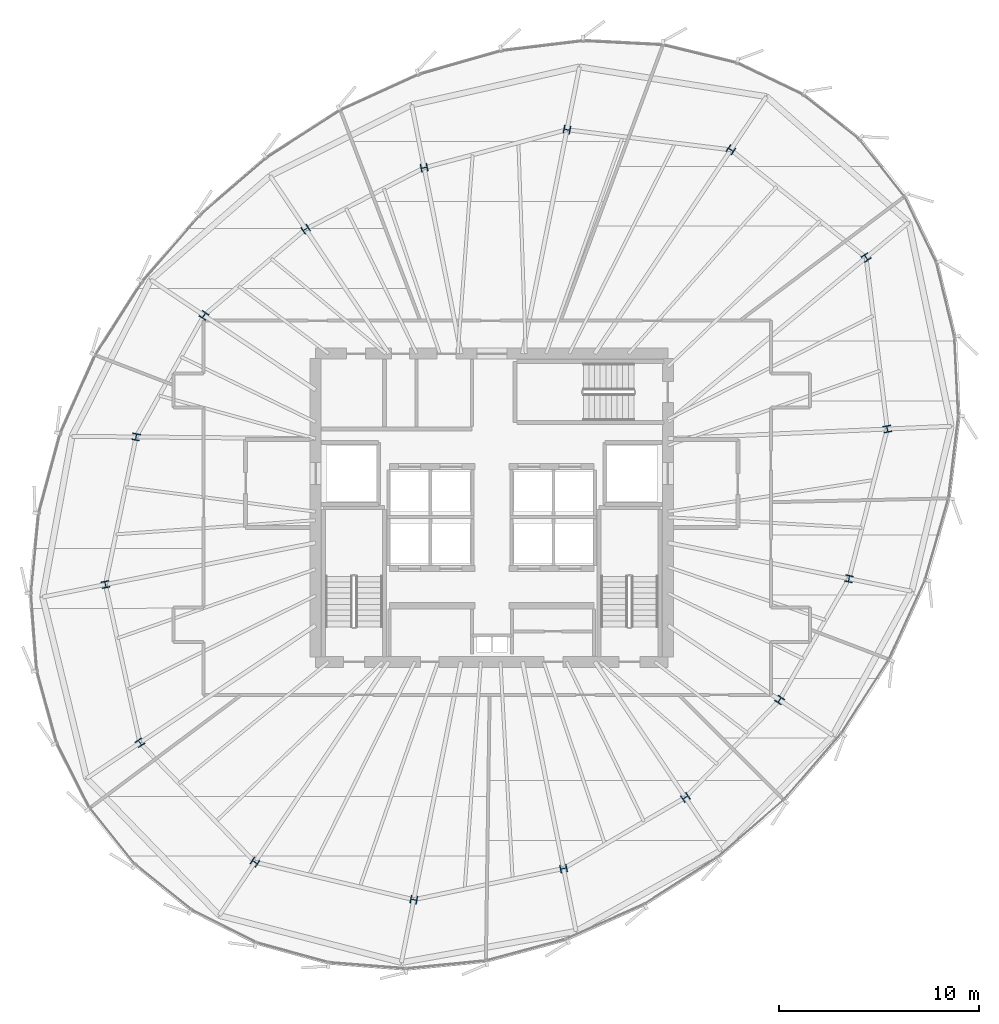
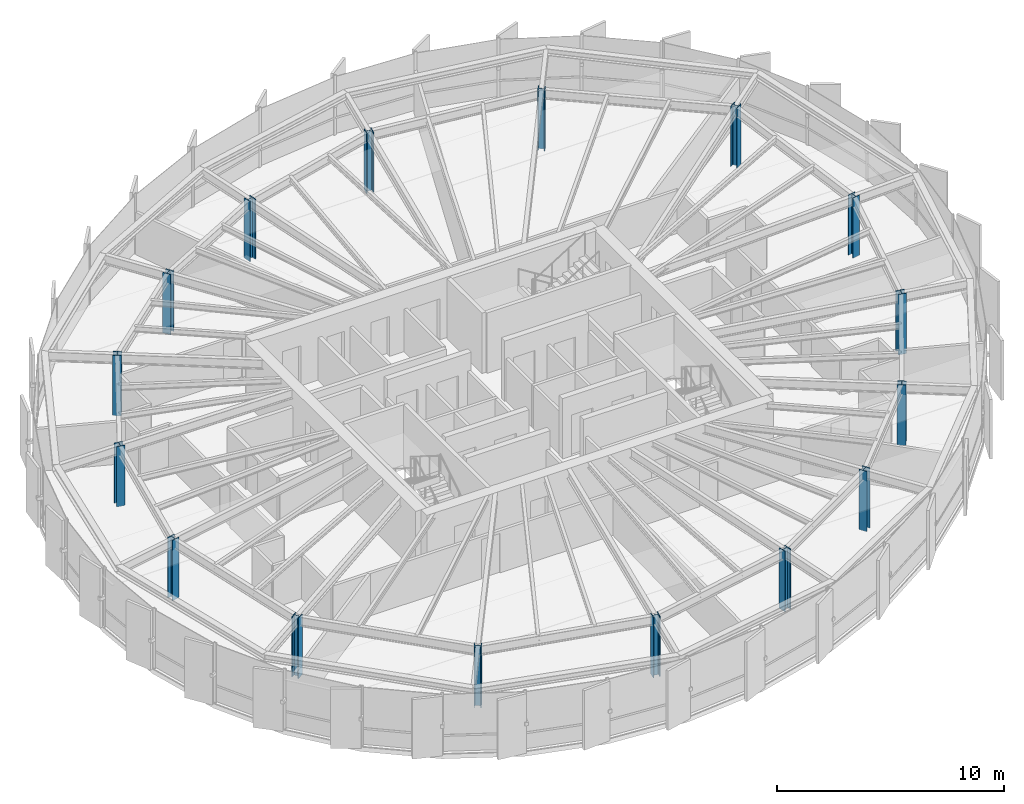
# One storey, part 1 of 34: 16 columns.
"""IFC4 building model written with IfcOpenShell, lengths in metres."""

from ifc_helpers import new_model, si_unit, direction, frame, origin, origin_2d, place, context, subcontext, project, spatial, i_section, extrude, source, transform, mapped, material, material_profile, profile_set, type_object, element, save


model = new_model("IFC4")

# Units and contexts
model_context = context("Model", 3, precision=1e-05, world=origin(), true_north=direction((0.0, 1.0)))
body_context = subcontext(model_context, "Body", "Model", "MODEL_VIEW")
ifc_project = project(units=[si_unit("LENGTHUNIT", "METRE"), si_unit("AREAUNIT", "SQUARE_METRE"), si_unit("VOLUMEUNIT", "CUBIC_METRE"), si_unit("PLANEANGLEUNIT", "RADIAN"), si_unit("MASSUNIT", "GRAM", prefix="KILO"), si_unit("THERMODYNAMICTEMPERATUREUNIT", "KELVIN")], contexts=[model_context])

# Site, building, storey
site_placement = place(None, origin())
site = spatial("IfcSite", under=ifc_project, at=site_placement, CompositionType="ELEMENT")
building_placement = place(site_placement, origin())
building = spatial("IfcBuilding", under=site, at=building_placement, Name="Kethvar Cultural Tower", CompositionType="ELEMENT")
storey_placement = place(building_placement, frame((0.0, 0.0, 214.89990234375)))
storey = spatial("IfcBuildingStorey", under=building, at=storey_placement, Name="L56", CompositionType="ELEMENT", Elevation=214.89990234375)

# Columns
ifc_material = material(Name="Steel S460M", Category="steel")
ifc_material_profile = material_profile(ifc_material, i_section(OverallWidth=0.39111328125, OverallDepth=0.3349609375, WebThickness=0.022705078125, FlangeThickness=0.033935546875, FilletRadius=0.014892578125, at=origin_2d()), Name="Steel S460M — HD400x463")
ifc_profile_set = profile_set([ifc_material_profile], Name="Steel S460M — HD400x463")
column_type = type_object("IfcColumnType", Name="COL-HD463", PredefinedType="COLUMN", material=ifc_profile_set)
shared_shape = source(origin(), body_context, "Body", "SweptSolid", [
    extrude(i_section(OverallWidth=0.39111328125, OverallDepth=0.3349609375, WebThickness=0.022705078125, FlangeThickness=0.033935546875, FilletRadius=0.014892578125, at=origin_2d()), origin(), (0.0, 0.0, 1.0), 3.239990234375),
])
for number, where, z_axis, x_axis, name in (
    (1, (66.56396484375, 31.731201171875, 0.0), (0.0, 0.0, 1.0), (0.980785280403, 0.195090322016, 0.0), "L56 Mega-Column MC-01"),
    (2, (65.504150390625, 40.297607421875, 0.0), (0.0, 0.0, 1.0), (0.831469612303, 0.55557023302, 0.0), "L56 Mega-Column MC-02"),
    (3, (58.748046875, 45.681396484375, 0.0), (0.0, 0.0, 1.0), (0.55557023302, 0.831469612303, 0.0), "L56 Mega-Column MC-03"),
    (4, (50.556884765625, 46.6875, 0.0), (0.0, 0.0, 1.0), (0.195090322016, 0.980785280403, 0.0), "L56 Mega-Column MC-04"),
    (5, (43.420654296875, 44.789306640625, 0.0), (0.0, 0.0, 1.0), (-0.195090322016, 0.980785280403, 0.0), "L56 Mega-Column MC-05"),
    (6, (37.498779296875, 41.720458984375, 0.0), (0.0, 0.0, 1.0), (-0.55557023302, 0.831469612303, 0.0), "L56 Mega-Column MC-06"),
    (7, (32.418212890625, 37.409423828125, 0.0), (0.0, 0.0, 1.0), (-0.831469612303, 0.55557023302, 0.0), "L56 Mega-Column MC-07"),
    (8, (29.02490234375, 31.335693359375, 0.0), (0.0, 0.0, 1.0), (-0.980785280403, 0.195090322016, 0.0), "L56 Mega-Column MC-08"),
    (9, (27.492919921875, 23.959716796875, 0.0), (0.0, 0.0, 1.0), (-0.980785280403, -0.195090322016, 0.0), "L56 Mega-Column MC-09"),
    (10, (29.217529296875, 16.0517578125, 0.0), (0.0, 0.0, 1.0), (-0.831469612303, -0.55557023302, 0.0), "L56 Mega-Column MC-10"),
    (11, (34.962646484375, 10.084228515625, 0.0), (0.0, 0.0, 1.0), (-0.55557023302, -0.831469612303, 0.0), "L56 Mega-Column MC-11"),
    (12, (42.903564453125, 8.2109375, 0.0), (0.0, 0.0, 1.0), (-0.195090322016, -0.980785280403, 0.0), "L56 Mega-Column MC-12"),
    (13, (50.38671875, 9.7685546875, 0.0), (0.0, 0.0, 1.0), (0.195090322016, -0.980785280403, 0.0), "L56 Mega-Column MC-13"),
    (14, (56.474609375, 13.32080078125, 0.0), (0.0, 0.0, 1.0), (0.55557023302, -0.831469612303, 0.0), "L56 Mega-Column MC-14"),
    (15, (61.1826171875, 18.18994140625, 0.0), (0.0, 0.0, 1.0), (0.831469612303, -0.55557023302, 0.0), "L56 Mega-Column MC-15"),
    (16, (64.648681640625, 24.249755859375, 0.0), (0.0, 0.0, 1.0), (0.980785280403, -0.195090322016, 0.0), "L56 Mega-Column MC-16"),
):
    element("IfcColumn", number, at=place(storey_placement, frame(where, z_axis=z_axis, x_axis=x_axis)), inside=storey, type_object=column_type, Name=name, PredefinedType="COLUMN", context=body_context, shape_type="MappedRepresentation", body=[
        mapped(shared_shape, transform((0.0, 0.0, 0.0), scale=1.0)),
    ])

save(model, "model.ifc")
